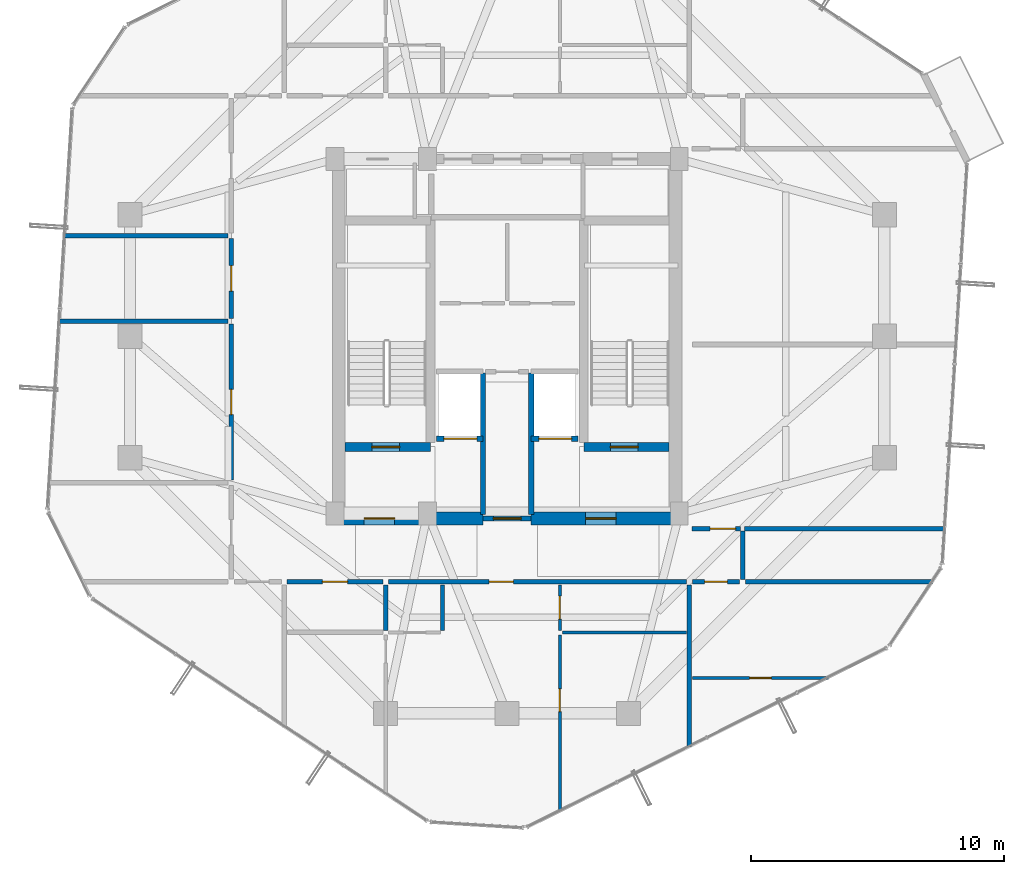
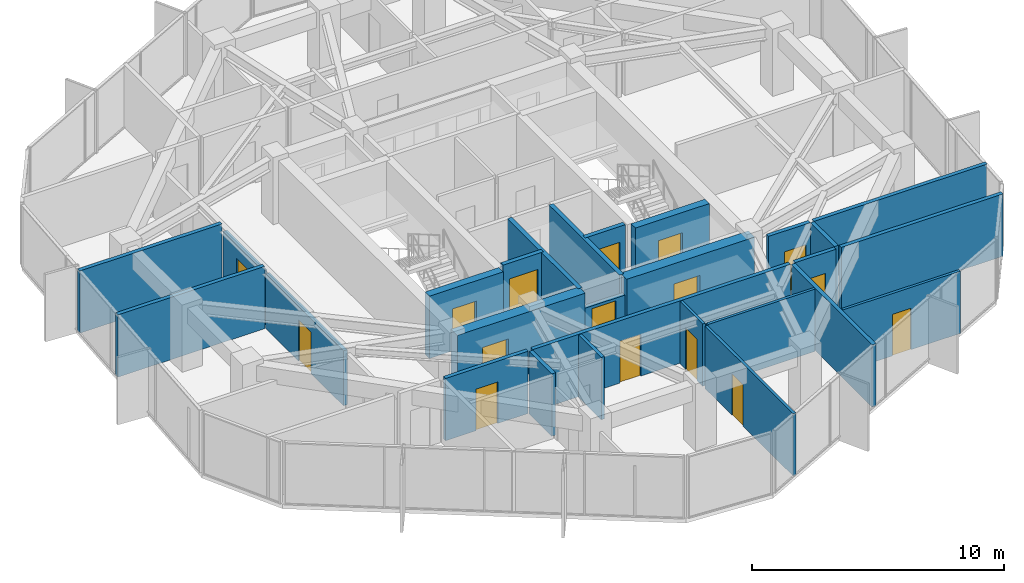
# One storey, part 25 of 29: 27 walls, 16 doors, 16 openings.
"""IFC4 building model written with IfcOpenShell, lengths in metres."""

from ifc_helpers import new_model, si_unit, direction, frame, frame_2d, origin, place, context, subcontext, project, spatial, rectangle, extrude, source, transform, mapped, material, layer, layer_set, type_object, element, fill, save


model = new_model("IFC4")

# Units and contexts
model_context = context("Model", 3, precision=1e-05, world=origin(), true_north=direction((0.0, 1.0)))
body_context = subcontext(model_context, "Body", "Model", "MODEL_VIEW")
ifc_project = project(units=[si_unit("LENGTHUNIT", "METRE"), si_unit("AREAUNIT", "SQUARE_METRE"), si_unit("VOLUMEUNIT", "CUBIC_METRE"), si_unit("PLANEANGLEUNIT", "RADIAN"), si_unit("MASSUNIT", "GRAM", prefix="KILO")], contexts=[model_context])

# Site, building, storey
site_placement = place(None, origin())
site = spatial("IfcSite", under=ifc_project, at=site_placement, CompositionType="ELEMENT")
building_placement = place(site_placement, origin())
building = spatial("IfcBuilding", under=site, at=building_placement, Name="Veraguas Prism Commons", CompositionType="ELEMENT")
storey_placement = place(building_placement, frame((0.0, 0.0, 218.89990234375)))
storey = spatial("IfcBuildingStorey", under=building, at=storey_placement, Name="L62", CompositionType="ELEMENT", Elevation=218.89990234375)

# Wall, opening, door
ifc_material_1 = material(Name="Concrete C50/60", Category="concrete")
ifc_layer_1 = layer(ifc_material_1, 0.35009765625, Name="Core Internal Shear Wall Upper RC 350", Category="concrete")
ifc_layer_set_1 = layer_set([ifc_layer_1], Name="Concrete C50/60")
wall_type_1 = type_object("IfcWallType", Name="Core Internal Shear Wall Upper RC 350", PredefinedType="SHEAR", material=ifc_layer_set_1)
wall_1_placement = place(storey_placement, frame((17.60009765625, 19.625, 0.0), z_axis=(0.0, 0.0, 1.0), x_axis=(1.0, 0.0, 0.0)))
wall_1 = element("IfcWall", 1, at=wall_1_placement, inside=storey, type_object=wall_type_1, Name="Stair ST-01 South Shear Wall L62", PredefinedType="SHEAR", context=body_context, shape_type="SweptSolid", body=[
    extrude(rectangle(XDim=3.375, YDim=0.35009765625, at=frame_2d((1.6875, 0.0))), origin(), (0.0, 0.0, 1.0), 3.01513671875),
])
opening_1_placement = place(wall_1_placement, frame((1.050048828125, 0.0, 0.0)))
opening_1 = element("IfcOpeningElement", 2, at=opening_1_placement, cuts=wall_1, Name="Opening DR-05", PredefinedType="OPENING", context=body_context, shape_type="SweptSolid", body=[
    extrude(rectangle(XDim=1.10009765625, YDim=2.030029296875, at=frame_2d((0.550048828125, 1.01513671875))), frame((0.0, 0.18505859375, 0.0), z_axis=(0.0, -1.0, 0.0), x_axis=(1.0, 0.0, 0.0)), (0.0, 0.0, 1.0), 0.3701171875),
])
ifc_material_2 = material(Name="Steel fire-rated door assembly", Category="steel")
door_type_1 = type_object("IfcDoorType", Name="Protected Stair and Refuge Fire Door 1100x2030", OperationType="NOTDEFINED", PredefinedType="DOOR", material=ifc_material_2)
shared_shape_1 = source(origin(), body_context, "Body", "SweptSolid", [
    extrude(rectangle(XDim=1.10009765625, YDim=2.030029296875, at=frame_2d((0.550048828125, 1.01513671875))), frame((0.0, 0.02490234375, 0.0), z_axis=(0.0, -1.0, 0.0), x_axis=(1.0, 0.0, 0.0)), (0.0, 0.0, 1.0), 0.050048828125),
])
door_1_placement = place(opening_1_placement, origin())
door_1 = element("IfcDoor", 3, at=door_1_placement, inside=storey, type_object=door_type_1, Name="Stair ST-01 Enclosure Door L62", OperationType="SINGLE_SWING_LEFT", OverallHeight=2.030029296875, OverallWidth=1.10009765625, PredefinedType="DOOR", context=body_context, shape_type="MappedRepresentation", body=[
    mapped(shared_shape_1, transform((0.0, 0.0, 0.0), scale=1.0)),
])
fill(opening_1, door_1)

wall_2_placement = place(storey_placement, frame((27.02490234375, 19.625, 0.0), z_axis=(0.0, 0.0, 1.0), x_axis=(1.0, 0.0, 0.0)))
wall_2 = element("IfcWall", 4, at=wall_2_placement, inside=storey, type_object=wall_type_1, Name="Stair ST-02 South Shear Wall L62", PredefinedType="SHEAR", context=body_context, shape_type="SweptSolid", body=[
    extrude(rectangle(XDim=3.375, YDim=0.35009765625, at=frame_2d((1.6875, 0.0))), origin(), (0.0, 0.0, 1.0), 3.01513671875),
])
opening_2_placement = place(wall_2_placement, frame((1.050048828125, 0.0, 0.0)))
opening_2 = element("IfcOpeningElement", 5, at=opening_2_placement, cuts=wall_2, Name="Opening DR-05", PredefinedType="OPENING", context=body_context, shape_type="SweptSolid", body=[
    extrude(rectangle(XDim=1.10009765625, YDim=2.030029296875, at=frame_2d((0.550048828125, 1.01513671875))), frame((0.0, 0.18505859375, 0.0), z_axis=(0.0, -1.0, 0.0), x_axis=(1.0, 0.0, 0.0)), (0.0, 0.0, 1.0), 0.3701171875),
])
door_2_placement = place(opening_2_placement, origin())
door_2 = element("IfcDoor", 6, at=door_2_placement, inside=storey, type_object=door_type_1, Name="Stair ST-02 Enclosure Door L62", OperationType="SINGLE_SWING_RIGHT", OverallHeight=2.030029296875, OverallWidth=1.10009765625, PredefinedType="DOOR", context=body_context, shape_type="MappedRepresentation", body=[
    mapped(shared_shape_1, transform((0.0, 0.0, 0.0), scale=1.0)),
])
fill(opening_2, door_2)

ifc_layer_2 = layer(ifc_material_1, 0.5, Name="Core Outer Shear Wall Upper RC 500", Category="concrete")
ifc_layer_set_2 = layer_set([ifc_layer_2], Name="Concrete C50/60")
wall_type_2 = type_object("IfcWallType", Name="Core Outer Shear Wall Upper RC 500", PredefinedType="SHEAR", material=ifc_layer_set_2)
wall_3_placement = place(storey_placement, frame((17.199951171875, 16.800048828125, 0.0), z_axis=(0.0, 0.0, 1.0), x_axis=(1.0, 0.0, 0.0)))
wall_3 = element("IfcWall", 7, at=wall_3_placement, inside=storey, type_object=wall_type_2, Name="Central Core South-West Shear Wall L62", PredefinedType="SHEAR", context=body_context, shape_type="SweptSolid", body=[
    extrude(rectangle(XDim=5.85009765625, YDim=0.5, at=frame_2d((2.925048828125, 0.0))), origin(), (0.0, 0.0, 1.0), 3.01513671875),
])
opening_3_placement = place(wall_3_placement, frame((1.14990234375, 0.0, 0.0)))
opening_3 = element("IfcOpeningElement", 8, at=opening_3_placement, cuts=wall_3, Name="Opening DR-06", PredefinedType="OPENING", context=body_context, shape_type="SweptSolid", body=[
    extrude(rectangle(XDim=1.199951171875, YDim=2.030029296875, at=frame_2d((0.60009765625, 1.01513671875))), frame((0.0, 0.260009765625, 0.0), z_axis=(0.0, -1.0, 0.0), x_axis=(1.0, 0.0, 0.0)), (0.0, 0.0, 1.0), 0.52001953125),
])
door_type_2 = type_object("IfcDoorType", Name="Firefighting Lobby Smoke Door 1200x2030", OperationType="NOTDEFINED", PredefinedType="DOOR", material=ifc_material_2)
shared_shape_2 = source(origin(), body_context, "Body", "SweptSolid", [
    extrude(rectangle(XDim=1.199951171875, YDim=2.030029296875, at=frame_2d((0.60009765625, 1.01513671875))), frame((0.0, 0.02490234375, 0.0), z_axis=(0.0, -1.0, 0.0), x_axis=(1.0, 0.0, 0.0)), (0.0, 0.0, 1.0), 0.050048828125),
])
door_3_placement = place(opening_3_placement, origin())
door_3 = element("IfcDoor", 9, at=door_3_placement, inside=storey, type_object=door_type_2, Name="West FF Lobby Door L62", OperationType="SINGLE_SWING_RIGHT", OverallHeight=2.030029296875, OverallWidth=1.199951171875, PredefinedType="DOOR", context=body_context, shape_type="MappedRepresentation", body=[
    mapped(shared_shape_2, transform((0.0, 0.0, 0.0), scale=1.0)),
])
fill(opening_3, door_3)

wall_4_placement = place(storey_placement, frame((24.949951171875, 16.800048828125, 0.0), z_axis=(0.0, 0.0, 1.0), x_axis=(1.0, 0.0, 0.0)))
wall_4 = element("IfcWall", 10, at=wall_4_placement, inside=storey, type_object=wall_type_2, Name="Central Core South-East Shear Wall L62", PredefinedType="SHEAR", context=body_context, shape_type="SweptSolid", body=[
    extrude(rectangle(XDim=5.85009765625, YDim=0.5, at=frame_2d((2.925048828125, 0.0))), origin(), (0.0, 0.0, 1.0), 3.01513671875),
])
opening_4_placement = place(wall_4_placement, frame((2.14990234375, 0.0, 0.0)))
opening_4 = element("IfcOpeningElement", 11, at=opening_4_placement, cuts=wall_4, Name="Opening DR-06", PredefinedType="OPENING", context=body_context, shape_type="SweptSolid", body=[
    extrude(rectangle(XDim=1.199951171875, YDim=2.030029296875, at=frame_2d((0.60009765625, 1.01513671875))), frame((0.0, 0.260009765625, 0.0), z_axis=(0.0, -1.0, 0.0), x_axis=(1.0, 0.0, 0.0)), (0.0, 0.0, 1.0), 0.52001953125),
])
door_4_placement = place(opening_4_placement, origin())
door_4 = element("IfcDoor", 12, at=door_4_placement, inside=storey, type_object=door_type_2, Name="East FF Lobby Door L62", OperationType="SINGLE_SWING_RIGHT", OverallHeight=2.030029296875, OverallWidth=1.199951171875, PredefinedType="DOOR", context=body_context, shape_type="MappedRepresentation", body=[
    mapped(shared_shape_2, transform((0.0, 0.0, 0.0), scale=1.0)),
])
fill(opening_4, door_4)

# Wall
ifc_material_3 = material(Name="Autoclaved aerated masonry block 10 MPa", Category="masonry")
ifc_layer_3 = layer(ifc_material_3, 0.179931640625, Name="Corridor and Inter-Tenancy Partition 180", Category="masonry")
ifc_layer_set_3 = layer_set([ifc_layer_3], Name="Autoclaved aerated masonry block 10 MPa")
wall_type_3 = type_object("IfcWallType", Name="Corridor and Inter-Tenancy Partition 180", PredefinedType="PARTITIONING", material=ifc_layer_set_3)
wall_5_placement = place(storey_placement, frame((31.199951171875, 14.179931640625, 0.0), z_axis=(0.0, 0.0, 1.0), x_axis=(0.0, -1.0, 0.0)))
element("IfcWall", 13, at=wall_5_placement, inside=storey, type_object=wall_type_3, Name="WL-L62-PT002", PredefinedType="PARTITIONING", context=body_context, shape_type="SweptSolid", body=[
    extrude(rectangle(XDim=6.412353515625, YDim=0.179931640625, at=frame_2d((3.2060546875, 0.0))), origin(), (0.0, 0.0, 1.0), 3.01513671875),
])

# Wall, opening, door
wall_6_placement = place(storey_placement, frame((15.31005859375, 14.300048828125, 0.0), z_axis=(0.0, 0.0, 1.0), x_axis=(1.0, 0.0, 0.0)))
wall_6 = element("IfcWall", 14, at=wall_6_placement, inside=storey, type_object=wall_type_3, Name="WL-L62-PT003", PredefinedType="PARTITIONING", context=body_context, shape_type="SweptSolid", body=[
    extrude(rectangle(XDim=3.780029296875, YDim=0.179931640625, at=frame_2d((1.89013671875, 0.0))), origin(), (0.0, 0.0, 1.0), 3.01513671875),
])
opening_5_placement = place(wall_6_placement, frame((1.389892578125, 0.0, 0.0)))
opening_5 = element("IfcOpeningElement", 15, at=opening_5_placement, cuts=wall_6, Name="Opening DR-13", PredefinedType="OPENING", context=body_context, shape_type="SweptSolid", body=[
    extrude(rectangle(XDim=1.0, YDim=2.010009765625, at=frame_2d((0.5, 1.0048828125))), frame((0.0, 0.099853515625, 0.0), z_axis=(0.0, -1.0, 0.0), x_axis=(1.0, 0.0, 0.0)), (0.0, 0.0, 1.0), 0.199951171875),
])
door_type_3 = type_object("IfcDoorType", Name="Core Accessible WC and Clinic Fire Door 1000x2010", OperationType="NOTDEFINED", PredefinedType="DOOR", material=ifc_material_2)
shared_shape_3 = source(origin(), body_context, "Body", "SweptSolid", [
    extrude(rectangle(XDim=1.0, YDim=2.010009765625, at=frame_2d((0.5, 1.0048828125))), frame((0.0, 0.02490234375, 0.0), z_axis=(0.0, -1.0, 0.0), x_axis=(1.0, 0.0, 0.0)), (0.0, 0.0, 1.0), 0.050048828125),
])
door_5_placement = place(opening_5_placement, origin())
door_5 = element("IfcDoor", 16, at=door_5_placement, inside=storey, type_object=door_type_3, Name="Residents Study Alcove 62A Door", OperationType="SINGLE_SWING_RIGHT", OverallHeight=2.010009765625, OverallWidth=1.0, PredefinedType="DOOR", context=body_context, shape_type="MappedRepresentation", body=[
    mapped(shared_shape_3, transform((0.0, 0.0, 0.0), scale=1.0)),
])
fill(opening_5, door_5)

wall_7_placement = place(storey_placement, frame((19.31005859375, 14.300048828125, 0.0), z_axis=(0.0, 0.0, 1.0), x_axis=(1.0, 0.0, 0.0)))
wall_7 = element("IfcWall", 17, at=wall_7_placement, inside=storey, type_object=wall_type_3, Name="WL-L62-PT004", PredefinedType="PARTITIONING", context=body_context, shape_type="SweptSolid", body=[
    extrude(rectangle(XDim=11.780029296875, YDim=0.179931640625, at=frame_2d((5.89013671875, 0.0))), origin(), (0.0, 0.0, 1.0), 3.01513671875),
])
opening_6_placement = place(wall_7_placement, frame((3.97998046875, 0.0, 0.0)))
opening_6 = element("IfcOpeningElement", 18, at=opening_6_placement, cuts=wall_7, Name="Opening DR-01", PredefinedType="OPENING", context=body_context, shape_type="SweptSolid", body=[
    extrude(rectangle(XDim=0.949951171875, YDim=2.02001953125, at=frame_2d((0.47509765625, 1.010009765625))), frame((0.0, 0.099853515625, 0.0), z_axis=(0.0, -1.0, 0.0), x_axis=(1.0, 0.0, 0.0)), (0.0, 0.0, 1.0), 0.199951171875),
])
ifc_material_4 = material(Name="Anodised aluminium EN AW-6063 T6", Category="aluminium")
door_type_4 = type_object("IfcDoorType", Name="Apartment Entrance Fire Door 950x2020", OperationType="NOTDEFINED", PredefinedType="DOOR", material=ifc_material_4)
shared_shape_4 = source(origin(), body_context, "Body", "SweptSolid", [
    extrude(rectangle(XDim=0.949951171875, YDim=2.02001953125, at=frame_2d((0.47509765625, 1.010009765625))), frame((0.0, 0.02490234375, 0.0), z_axis=(0.0, -1.0, 0.0), x_axis=(1.0, 0.0, 0.0)), (0.0, 0.0, 1.0), 0.050048828125),
])
door_6_placement = place(opening_6_placement, origin())
door_6 = element("IfcDoor", 19, at=door_6_placement, inside=storey, type_object=door_type_4, Name="Flat 62A Entrance Door", OperationType="SINGLE_SWING_LEFT", OverallHeight=2.02001953125, OverallWidth=0.949951171875, PredefinedType="DOOR", context=body_context, shape_type="MappedRepresentation", body=[
    mapped(shared_shape_4, transform((0.0, 0.0, 0.0), scale=1.0)),
])
fill(opening_6, door_6)

# Wall
wall_8_placement = place(storey_placement, frame((19.199951171875, 14.179931640625, 0.0), z_axis=(0.0, 0.0, 1.0), x_axis=(0.0, -1.0, 0.0)))
element("IfcWall", 20, at=wall_8_placement, inside=storey, type_object=wall_type_3, Name="WL-L62-PT006", PredefinedType="PARTITIONING", context=body_context, shape_type="SweptSolid", body=[
    extrude(rectangle(XDim=1.800048828125, YDim=0.179931640625, at=frame_2d((0.89990234375, 0.0))), origin(), (0.0, 0.0, 1.0), 3.01513671875),
])

# Wall, opening, door
wall_9_placement = place(storey_placement, frame((13.10009765625, 18.322021484375, 0.0), z_axis=(0.0, 0.0, 1.0), x_axis=(0.0, 1.0, 0.0)))
wall_9 = element("IfcWall", 21, at=wall_9_placement, inside=storey, type_object=wall_type_3, Name="WL-L62-PT028", PredefinedType="PARTITIONING", context=body_context, shape_type="SweptSolid", body=[
    extrude(rectangle(XDim=6.161865234375, YDim=0.179931640625, at=frame_2d((3.0810546875, 0.0))), origin(), (0.0, 0.0, 1.0), 2.662109375),
])
opening_7_placement = place(wall_9_placement, frame((2.5810546875, 0.0, 0.0)))
opening_7 = element("IfcOpeningElement", 22, at=opening_7_placement, cuts=wall_9, Name="Opening DR-13", PredefinedType="OPENING", context=body_context, shape_type="SweptSolid", body=[
    extrude(rectangle(XDim=1.0, YDim=2.010009765625, at=frame_2d((0.5, 1.0048828125))), frame((0.0, 0.099853515625, 0.0), z_axis=(0.0, -1.0, 0.0), x_axis=(1.0, 0.0, 0.0)), (0.0, 0.0, 1.0), 0.199951171875),
])
door_7_placement = place(opening_7_placement, origin())
door_7 = element("IfcDoor", 23, at=door_7_placement, inside=storey, type_object=door_type_3, Name="Co-op Store W Door", OperationType="SINGLE_SWING_LEFT", OverallHeight=2.010009765625, OverallWidth=1.0, PredefinedType="DOOR", context=body_context, shape_type="MappedRepresentation", body=[
    mapped(shared_shape_3, transform((0.0, 0.0, 0.0), scale=1.0)),
])
fill(opening_7, door_7)

# Wall
wall_10_placement = place(storey_placement, frame((12.97998046875, 24.593994140625, 0.0), z_axis=(0.0, 0.0, 1.0), x_axis=(-1.0, 0.0, 0.0)))
element("IfcWall", 24, at=wall_10_placement, inside=storey, type_object=wall_type_3, Name="WL-L62-PT030", PredefinedType="PARTITIONING", context=body_context, shape_type="SweptSolid", body=[
    extrude(rectangle(XDim=6.71728515625, YDim=0.179931640625, at=frame_2d((3.358642578125, 0.0))), origin(), (0.0, 0.0, 1.0), 3.01513671875),
])

# Wall, opening, door
wall_11_placement = place(storey_placement, frame((13.10009765625, 24.7041015625, 0.0), z_axis=(0.0, 0.0, 1.0), x_axis=(0.0, 1.0, 0.0)))
wall_11 = element("IfcWall", 25, at=wall_11_placement, inside=storey, type_object=wall_type_3, Name="WL-L62-PT031", PredefinedType="PARTITIONING", context=body_context, shape_type="SweptSolid", body=[
    extrude(rectangle(XDim=3.163818359375, YDim=0.179931640625, at=frame_2d((1.58203125, 0.0))), origin(), (0.0, 0.0, 1.0), 2.662109375),
])
opening_8_placement = place(wall_11_placement, frame((1.08203125, 0.0, 0.0)))
opening_8 = element("IfcOpeningElement", 26, at=opening_8_placement, cuts=wall_11, Name="Opening DR-13", PredefinedType="OPENING", context=body_context, shape_type="SweptSolid", body=[
    extrude(rectangle(XDim=1.0, YDim=2.010009765625, at=frame_2d((0.5, 1.0048828125))), frame((0.0, 0.099853515625, 0.0), z_axis=(0.0, -1.0, 0.0), x_axis=(1.0, 0.0, 0.0)), (0.0, 0.0, 1.0), 0.199951171875),
])
door_8_placement = place(opening_8_placement, origin())
door_8 = element("IfcDoor", 27, at=door_8_placement, inside=storey, type_object=door_type_3, Name="Youth Homework Study Room Door", OperationType="SINGLE_SWING_RIGHT", OverallHeight=2.010009765625, OverallWidth=1.0, PredefinedType="DOOR", context=body_context, shape_type="MappedRepresentation", body=[
    mapped(shared_shape_3, transform((0.0, 0.0, 0.0), scale=1.0)),
])
fill(opening_8, door_8)

# Walls
wall_12_placement = place(storey_placement, frame((12.97998046875, 27.97802734375, 0.0), z_axis=(0.0, 0.0, 1.0), x_axis=(-1.0, 0.0, 0.0)))
element("IfcWall", 28, at=wall_12_placement, inside=storey, type_object=wall_type_3, Name="WL-L62-PT033", PredefinedType="PARTITIONING", context=body_context, shape_type="SweptSolid", body=[
    extrude(rectangle(XDim=6.508056640625, YDim=0.179931640625, at=frame_2d((3.25390625, 0.0))), origin(), (0.0, 0.0, 1.0), 3.01513671875),
])
wall_13_placement = place(storey_placement, frame((33.300048828125, 14.39990234375, 0.0), z_axis=(0.0, 0.0, 1.0), x_axis=(0.0, 1.0, 0.0)))
element("IfcWall", 29, at=wall_13_placement, inside=storey, type_object=wall_type_3, Name="WL-L62-PT035", PredefinedType="PARTITIONING", context=body_context, shape_type="SweptSolid", body=[
    extrude(rectangle(XDim=1.900146484375, YDim=0.179931640625, at=frame_2d((0.9501953125, 0.0))), origin(), (0.0, 0.0, 1.0), 3.01513671875),
])

# Wall, opening, door
wall_14_placement = place(storey_placement, frame((31.300048828125, 16.39990234375, 0.0), z_axis=(0.0, 0.0, 1.0), x_axis=(1.0, 0.0, 0.0)))
wall_14 = element("IfcWall", 30, at=wall_14_placement, inside=storey, type_object=wall_type_3, Name="WL-L62-PT037", PredefinedType="PARTITIONING", context=body_context, shape_type="SweptSolid", body=[
    extrude(rectangle(XDim=1.919921875, YDim=0.179931640625, at=frame_2d((0.9599609375, 0.0))), origin(), (0.0, 0.0, 1.0), 3.01513671875),
])
opening_9_placement = place(wall_14_placement, frame((0.719970703125, 0.0, 0.0)))
opening_9 = element("IfcOpeningElement", 31, at=opening_9_placement, cuts=wall_14, Name="Opening DR-13", PredefinedType="OPENING", context=body_context, shape_type="SweptSolid", body=[
    extrude(rectangle(XDim=1.0, YDim=2.010009765625, at=frame_2d((0.5, 1.0048828125))), frame((0.0, 0.099853515625, 0.0), z_axis=(0.0, -1.0, 0.0), x_axis=(1.0, 0.0, 0.0)), (0.0, 0.0, 1.0), 0.199951171875),
])
door_9_placement = place(opening_9_placement, origin())
door_9 = element("IfcDoor", 32, at=door_9_placement, inside=storey, type_object=door_type_3, Name="Panorama Lounge Door L62", OperationType="SINGLE_SWING_RIGHT", OverallHeight=2.010009765625, OverallWidth=1.0, PredefinedType="DOOR", context=body_context, shape_type="MappedRepresentation", body=[
    mapped(shared_shape_3, transform((0.0, 0.0, 0.0), scale=1.0)),
])
fill(opening_9, door_9)

# Walls
wall_15_placement = place(storey_placement, frame((33.3798828125, 16.39990234375, 0.0), z_axis=(0.0, 0.0, 1.0), x_axis=(1.0, 0.0, 0.0)))
element("IfcWall", 33, at=wall_15_placement, inside=storey, type_object=wall_type_3, Name="WL-L62-PT038", PredefinedType="PARTITIONING", context=body_context, shape_type="SweptSolid", body=[
    extrude(rectangle(XDim=7.924072265625, YDim=0.179931640625, at=frame_2d((3.9619140625, 0.0))), origin(), (0.0, 0.0, 1.0), 3.01513671875),
])
wall_16_placement = place(storey_placement, frame((33.419921875, 14.300048828125, 0.0), z_axis=(0.0, 0.0, 1.0), x_axis=(1.0, 0.0, 0.0)))
element("IfcWall", 34, at=wall_16_placement, inside=storey, type_object=wall_type_3, Name="WL-L62-PT042", PredefinedType="PARTITIONING", context=body_context, shape_type="SweptSolid", body=[
    extrude(rectangle(XDim=7.39306640625, YDim=0.179931640625, at=frame_2d((3.696533203125, 0.0))), origin(), (0.0, 0.0, 1.0), 3.01513671875),
])

# Wall, opening, door
wall_17_placement = place(storey_placement, frame((31.320068359375, 14.300048828125, 0.0), z_axis=(0.0, 0.0, 1.0), x_axis=(1.0, 0.0, 0.0)))
wall_17 = element("IfcWall", 35, at=wall_17_placement, inside=storey, type_object=wall_type_3, Name="WL-L62-PT043", PredefinedType="PARTITIONING", context=body_context, shape_type="SweptSolid", body=[
    extrude(rectangle(XDim=1.85986328125, YDim=0.179931640625, at=frame_2d((0.929931640625, 0.0))), origin(), (0.0, 0.0, 1.0), 3.01513671875),
])
opening_10_placement = place(wall_17_placement, frame((0.47998046875, 0.0, 0.0)))
opening_10 = element("IfcOpeningElement", 36, at=opening_10_placement, cuts=wall_17, Name="Opening DR-14", PredefinedType="OPENING", context=body_context, shape_type="SweptSolid", body=[
    extrude(rectangle(XDim=0.89990234375, YDim=2.010009765625, at=frame_2d((0.449951171875, 1.0048828125))), frame((0.0, 0.099853515625, 0.0), z_axis=(0.0, -1.0, 0.0), x_axis=(1.0, 0.0, 0.0)), (0.0, 0.0, 1.0), 0.199951171875),
])
door_type_5 = type_object("IfcDoorType", Name="Core Service Room Fire Door 900x2010", OperationType="NOTDEFINED", PredefinedType="DOOR", material=ifc_material_2)
shared_shape_5 = source(origin(), body_context, "Body", "SweptSolid", [
    extrude(rectangle(XDim=0.89990234375, YDim=2.010009765625, at=frame_2d((0.449951171875, 1.0048828125))), frame((0.0, 0.02490234375, 0.0), z_axis=(0.0, -1.0, 0.0), x_axis=(1.0, 0.0, 0.0)), (0.0, 0.0, 1.0), 0.050048828125),
])
door_10_placement = place(opening_10_placement, origin())
door_10 = element("IfcDoor", 37, at=door_10_placement, inside=storey, type_object=door_type_5, Name="Shared Laundry Room Door", OperationType="SINGLE_SWING_LEFT", OverallHeight=2.010009765625, OverallWidth=0.89990234375, PredefinedType="DOOR", context=body_context, shape_type="MappedRepresentation", body=[
    mapped(shared_shape_5, transform((0.0, 0.0, 0.0), scale=1.0)),
])
fill(opening_10, door_10)

ifc_material_5 = material(Name="Lightweight acoustic gypsum board")
ifc_layer_4 = layer(ifc_material_5, 0.125, Name="Internal Apartment Room Partition 125")
ifc_layer_set_4 = layer_set([ifc_layer_4], Name="Lightweight acoustic gypsum board")
wall_type_4 = type_object("IfcWallType", Name="Internal Apartment Room Partition 125", PredefinedType="PARTITIONING", material=ifc_layer_set_4)
wall_18_placement = place(storey_placement, frame((26.080078125, 14.179931640625, 0.0), z_axis=(0.0, 0.0, 1.0), x_axis=(0.0, -1.0, 0.0)))
wall_18 = element("IfcWall", 38, at=wall_18_placement, inside=storey, type_object=wall_type_4, Name="WL-L62-PT010", PredefinedType="PARTITIONING", context=body_context, shape_type="SweptSolid", body=[
    extrude(rectangle(XDim=1.800048828125, YDim=0.125, at=frame_2d((0.89990234375, 0.0))), origin(), (0.0, 0.0, 1.0), 3.01513671875),
])
opening_11_placement = place(wall_18_placement, frame((0.449951171875, 0.0, 0.0)))
opening_11 = element("IfcOpeningElement", 39, at=opening_11_placement, cuts=wall_18, Name="Opening DR-02", PredefinedType="OPENING", context=body_context, shape_type="SweptSolid", body=[
    extrude(rectangle(XDim=0.89990234375, YDim=2.010009765625, at=frame_2d((0.449951171875, 1.0048828125))), frame((0.0, 0.072509765625, 0.0), z_axis=(0.0, -1.0, 0.0), x_axis=(1.0, 0.0, 0.0)), (0.0, 0.0, 1.0), 0.14501953125),
])
ifc_material_6 = material(Name="Timber solid core hardwood", Category="wood")
door_type_6 = type_object("IfcDoorType", Name="Internal Habitable Room Door 900x2010", OperationType="NOTDEFINED", PredefinedType="DOOR", material=ifc_material_6)
door_11_placement = place(opening_11_placement, origin())
door_11 = element("IfcDoor", 40, at=door_11_placement, inside=storey, type_object=door_type_6, Name="Flat 62A Kitchen Door", OperationType="SINGLE_SWING_RIGHT", OverallHeight=2.010009765625, OverallWidth=0.89990234375, PredefinedType="DOOR", context=body_context, shape_type="MappedRepresentation", body=[
    mapped(shared_shape_5, transform((0.0, 0.0, 0.0), scale=1.0)),
])
fill(opening_11, door_11)

# Wall
wall_19_placement = place(storey_placement, frame((26.179931640625, 12.300048828125, 0.0), z_axis=(0.0, 0.0, 1.0), x_axis=(1.0, 0.0, 0.0)))
element("IfcWall", 41, at=wall_19_placement, inside=storey, type_object=wall_type_4, Name="WL-L62-PT011", PredefinedType="PARTITIONING", context=body_context, shape_type="SweptSolid", body=[
    extrude(rectangle(XDim=4.900146484375, YDim=0.125, at=frame_2d((2.4501953125, 0.0))), origin(), (0.0, 0.0, 1.0), 3.01513671875),
])

# Wall, opening, door
wall_20_placement = place(storey_placement, frame((26.080078125, 12.199951171875, 0.0), z_axis=(0.0, 0.0, 1.0), x_axis=(0.0, -1.0, 0.0)))
wall_20 = element("IfcWall", 42, at=wall_20_placement, inside=storey, type_object=wall_type_4, Name="WL-L62-PT012", PredefinedType="PARTITIONING", context=body_context, shape_type="SweptSolid", body=[
    extrude(rectangle(XDim=6.980712890625, YDim=0.125, at=frame_2d((3.490234375, 0.0))), origin(), (0.0, 0.0, 1.0), 3.01513671875),
])
opening_12_placement = place(wall_20_placement, frame((2.131591796875, 0.0, 0.0)))
opening_12 = element("IfcOpeningElement", 43, at=opening_12_placement, cuts=wall_20, Name="Opening DR-02", PredefinedType="OPENING", context=body_context, shape_type="SweptSolid", body=[
    extrude(rectangle(XDim=0.89990234375, YDim=2.010009765625, at=frame_2d((0.449951171875, 1.0048828125))), frame((0.0, 0.072509765625, 0.0), z_axis=(0.0, -1.0, 0.0), x_axis=(1.0, 0.0, 0.0)), (0.0, 0.0, 1.0), 0.14501953125),
])
door_12_placement = place(opening_12_placement, origin())
door_12 = element("IfcDoor", 44, at=door_12_placement, inside=storey, type_object=door_type_6, Name="Flat 62A Bedroom 1 Door", OperationType="SINGLE_SWING_LEFT", OverallHeight=2.010009765625, OverallWidth=0.89990234375, PredefinedType="DOOR", context=body_context, shape_type="MappedRepresentation", body=[
    mapped(shared_shape_5, transform((0.0, 0.0, 0.0), scale=1.0)),
])
fill(opening_12, door_12)

wall_21_placement = place(storey_placement, frame((31.320068359375, 10.5, 0.0), z_axis=(0.0, 0.0, 1.0), x_axis=(1.0, 0.0, 0.0)))
wall_21 = element("IfcWall", 45, at=wall_21_placement, inside=storey, type_object=wall_type_4, Name="WL-L62-PT044", PredefinedType="PARTITIONING", context=body_context, shape_type="SweptSolid", body=[
    extrude(rectangle(XDim=5.3701171875, YDim=0.125, at=frame_2d((2.68505859375, 0.0))), origin(), (0.0, 0.0, 1.0), 3.01513671875),
])
opening_13_placement = place(wall_21_placement, frame((2.255126953125, 0.0, 0.0)))
opening_13 = element("IfcOpeningElement", 46, at=opening_13_placement, cuts=wall_21, Name="Opening DR-03", PredefinedType="OPENING", context=body_context, shape_type="SweptSolid", body=[
    extrude(rectangle(XDim=0.860107421875, YDim=2.010009765625, at=frame_2d((0.43017578125, 1.0048828125))), frame((0.0, 0.072509765625, 0.0), z_axis=(0.0, -1.0, 0.0), x_axis=(1.0, 0.0, 0.0)), (0.0, 0.0, 1.0), 0.14501953125),
])
ifc_material_7 = material(Name="Timber moisture-resistant leaf", Category="wood")
door_type_7 = type_object("IfcDoorType", Name="Internal Bathroom Door 860x2010", OperationType="NOTDEFINED", PredefinedType="DOOR", material=ifc_material_7)
shared_shape_6 = source(origin(), body_context, "Body", "SweptSolid", [
    extrude(rectangle(XDim=0.860107421875, YDim=2.010009765625, at=frame_2d((0.43017578125, 1.0048828125))), frame((0.0, 0.02490234375, 0.0), z_axis=(0.0, -1.0, 0.0), x_axis=(1.0, 0.0, 0.0)), (0.0, 0.0, 1.0), 0.050048828125),
])
door_13_placement = place(opening_13_placement, origin())
door_13 = element("IfcDoor", 47, at=door_13_placement, inside=storey, type_object=door_type_7, Name="Corner Store SE Door", OperationType="SINGLE_SWING_RIGHT", OverallHeight=2.010009765625, OverallWidth=0.860107421875, PredefinedType="DOOR", context=body_context, shape_type="MappedRepresentation", body=[
    mapped(shared_shape_6, transform((0.0, 0.0, 0.0), scale=1.0)),
])
fill(opening_13, door_13)

ifc_layer_5 = layer(ifc_material_3, 0.199951171875, Name="Rated Shaft and Lobby Block Wall 200", Category="masonry")
ifc_layer_set_5 = layer_set([ifc_layer_5], Name="Autoclaved aerated masonry block 10 MPa")
wall_type_5 = type_object("IfcWallType", Name="Rated Shaft and Lobby Block Wall 200", PredefinedType="SOLIDWALL", material=ifc_layer_set_5)
wall_22_placement = place(storey_placement, frame((23.050048828125, 16.800048828125, 0.0), z_axis=(0.0, 0.0, 1.0), x_axis=(1.0, 0.0, 0.0)))
wall_22 = element("IfcWall", 48, at=wall_22_placement, inside=storey, type_object=wall_type_5, Name="Central Core Lobby Entrance Wall L62", PredefinedType="SOLIDWALL", context=body_context, shape_type="SweptSolid", body=[
    extrude(rectangle(XDim=1.89990234375, YDim=0.199951171875, at=frame_2d((0.949951171875, 0.0))), origin(), (0.0, 0.0, 1.0), 2.1650390625),
])
opening_14_placement = place(wall_22_placement, frame((0.39990234375, 0.0, 0.0)))
opening_14 = element("IfcOpeningElement", 49, at=opening_14_placement, cuts=wall_22, Name="Opening DR-05", PredefinedType="OPENING", context=body_context, shape_type="SweptSolid", body=[
    extrude(rectangle(XDim=1.10009765625, YDim=2.030029296875, at=frame_2d((0.550048828125, 1.01513671875))), frame((0.0, 0.10986328125, 0.0), z_axis=(0.0, -1.0, 0.0), x_axis=(1.0, 0.0, 0.0)), (0.0, 0.0, 1.0), 0.219970703125),
])
door_14_placement = place(opening_14_placement, origin())
door_14 = element("IfcDoor", 50, at=door_14_placement, inside=storey, type_object=door_type_1, Name="Central Lobby Door L62", OperationType="SINGLE_SWING_LEFT", OverallHeight=2.030029296875, OverallWidth=1.10009765625, PredefinedType="DOOR", context=body_context, shape_type="MappedRepresentation", body=[
    mapped(shared_shape_1, transform((0.0, 0.0, 0.0), scale=1.0)),
])
fill(opening_14, door_14)

wall_23_placement = place(storey_placement, frame((21.199951171875, 19.949951171875, 0.0), z_axis=(0.0, 0.0, 1.0), x_axis=(1.0, 0.0, 0.0)))
wall_23 = element("IfcWall", 51, at=wall_23_placement, inside=storey, type_object=wall_type_5, Name="Firefighting Lift FFL-1 Front Wall L62", PredefinedType="SOLIDWALL", context=body_context, shape_type="SweptSolid", body=[
    extrude(rectangle(XDim=1.85009765625, YDim=0.199951171875, at=frame_2d((0.925048828125, 0.0))), origin(), (0.0, 0.0, 1.0), 3.01513671875),
])
opening_15_placement = place(wall_23_placement, frame((0.300048828125, 0.0, 0.0)))
opening_15 = element("IfcOpeningElement", 52, at=opening_15_placement, cuts=wall_23, Name="Opening LD-02", PredefinedType="OPENING", context=body_context, shape_type="SweptSolid", body=[
    extrude(rectangle(XDim=1.300048828125, YDim=2.25, at=frame_2d((0.64990234375, 1.125))), frame((0.0, 0.10986328125, 0.0), z_axis=(0.0, -1.0, 0.0), x_axis=(1.0, 0.0, 0.0)), (0.0, 0.0, 1.0), 0.219970703125),
])
ifc_material_8 = material(Name="Stainless steel AISI 316", Category="steel")
door_type_8 = type_object("IfcDoorType", Name="Firefighting Lift Sliding Landing Door 1300x2250", OperationType="NOTDEFINED", PredefinedType="DOOR", material=ifc_material_8)
shared_shape_7 = source(origin(), body_context, "Body", "SweptSolid", [
    extrude(rectangle(XDim=1.300048828125, YDim=2.25, at=frame_2d((0.64990234375, 1.125))), frame((0.0, 0.02490234375, 0.0), z_axis=(0.0, -1.0, 0.0), x_axis=(1.0, 0.0, 0.0)), (0.0, 0.0, 1.0), 0.050048828125),
])
door_15_placement = place(opening_15_placement, origin())
door_15 = element("IfcDoor", 53, at=door_15_placement, inside=storey, type_object=door_type_8, Name="Firefighting Lift FFL-1 Landing Door L62", OperationType="SLIDING_TO_LEFT", OverallHeight=2.25, OverallWidth=1.300048828125, PredefinedType="DOOR", context=body_context, shape_type="MappedRepresentation", body=[
    mapped(shared_shape_7, transform((0.0, 0.0, 0.0), scale=1.0)),
])
fill(opening_15, door_15)

wall_24_placement = place(storey_placement, frame((24.949951171875, 19.949951171875, 0.0), z_axis=(0.0, 0.0, 1.0), x_axis=(1.0, 0.0, 0.0)))
wall_24 = element("IfcWall", 54, at=wall_24_placement, inside=storey, type_object=wall_type_5, Name="Firefighting Lift FFL-2 Front Wall L62", PredefinedType="SOLIDWALL", context=body_context, shape_type="SweptSolid", body=[
    extrude(rectangle(XDim=1.85009765625, YDim=0.199951171875, at=frame_2d((0.925048828125, 0.0))), origin(), (0.0, 0.0, 1.0), 3.01513671875),
])
opening_16_placement = place(wall_24_placement, frame((0.300048828125, 0.0, 0.0)))
opening_16 = element("IfcOpeningElement", 55, at=opening_16_placement, cuts=wall_24, Name="Opening LD-02", PredefinedType="OPENING", context=body_context, shape_type="SweptSolid", body=[
    extrude(rectangle(XDim=1.300048828125, YDim=2.25, at=frame_2d((0.64990234375, 1.125))), frame((0.0, 0.10986328125, 0.0), z_axis=(0.0, -1.0, 0.0), x_axis=(1.0, 0.0, 0.0)), (0.0, 0.0, 1.0), 0.219970703125),
])
door_16_placement = place(opening_16_placement, origin())
door_16 = element("IfcDoor", 56, at=door_16_placement, inside=storey, type_object=door_type_8, Name="Firefighting Lift FFL-2 Front Wall L62", OperationType="SLIDING_TO_LEFT", OverallHeight=2.25, OverallWidth=1.300048828125, PredefinedType="DOOR", context=body_context, shape_type="MappedRepresentation", body=[
    mapped(shared_shape_7, transform((0.0, 0.0, 0.0), scale=1.0)),
])
fill(opening_16, door_16)

# Walls
for number, where, z_axis, x_axis, name in (
    (57, (23.050048828125, 16.949951171875, 0.0), (0.0, 0.0, 1.0), (0.0, 1.0, 0.0), "West FF Lobby Divider Wall L62"),
    (58, (24.949951171875, 16.949951171875, 0.0), (0.0, 0.0, 1.0), (0.0, 1.0, 0.0), "East FF Lobby Divider Wall L62"),
):
    element("IfcWall", number, at=place(storey_placement, frame(where, z_axis=z_axis, x_axis=x_axis)), inside=storey, type_object=wall_type_5, Name=name, PredefinedType="SOLIDWALL", context=body_context, shape_type="SweptSolid", body=[
        extrude(rectangle(XDim=5.60009765625, YDim=0.199951171875, at=frame_2d((2.800048828125, 0.0))), origin(), (0.0, 0.0, 1.0), 3.01513671875),
    ])
ifc_layer_6 = layer(ifc_material_5, 0.14990234375, Name="Wet Room and Clinic Acoustic Partition 150")
ifc_layer_set_6 = layer_set([ifc_layer_6], Name="Lightweight acoustic gypsum board")
wall_type_6 = type_object("IfcWallType", Name="Wet Room and Clinic Acoustic Partition 150", PredefinedType="PARTITIONING", material=ifc_layer_set_6)
wall_25_placement = place(storey_placement, frame((21.449951171875, 14.179931640625, 0.0), z_axis=(0.0, 0.0, 1.0), x_axis=(0.0, -1.0, 0.0)))
element("IfcWall", 59, at=wall_25_placement, inside=storey, type_object=wall_type_6, Name="WL-L62-PT008", PredefinedType="PARTITIONING", context=body_context, shape_type="SweptSolid", body=[
    extrude(rectangle(XDim=1.800048828125, YDim=0.14990234375, at=frame_2d((0.89990234375, 0.0))), origin(), (0.0, 0.0, 1.0), 3.01513671875),
])

save(model, "model.ifc")
